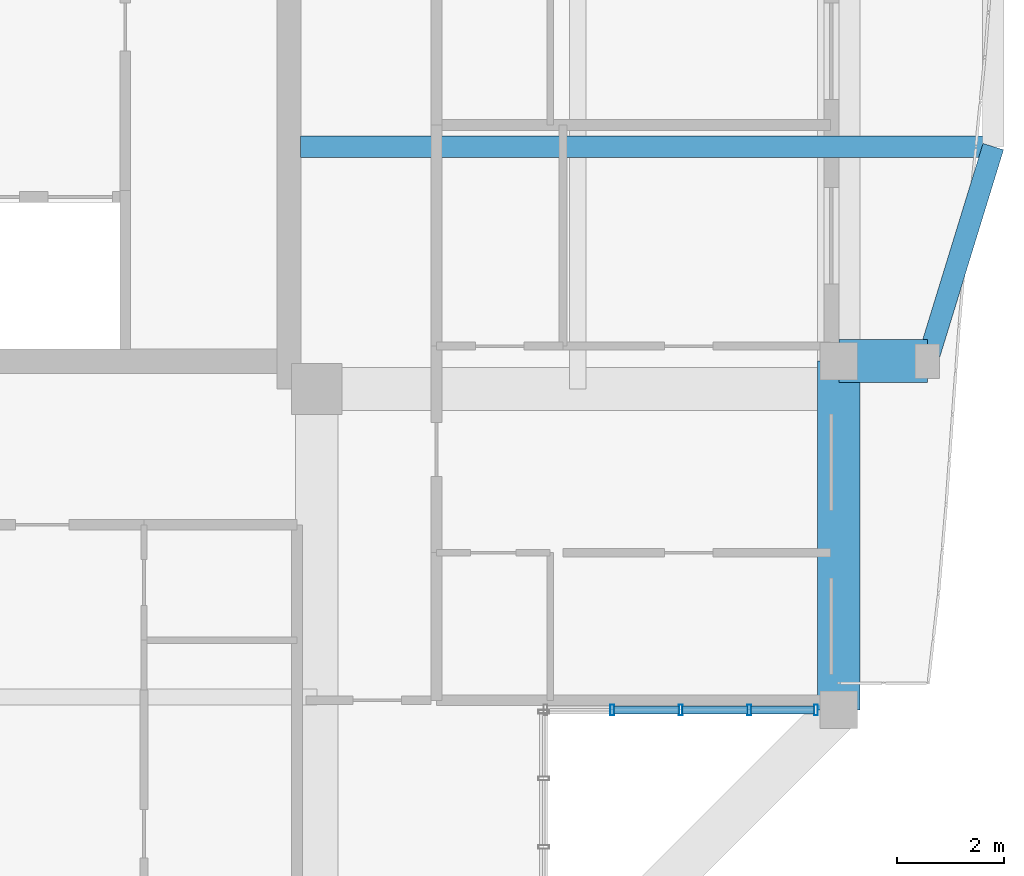
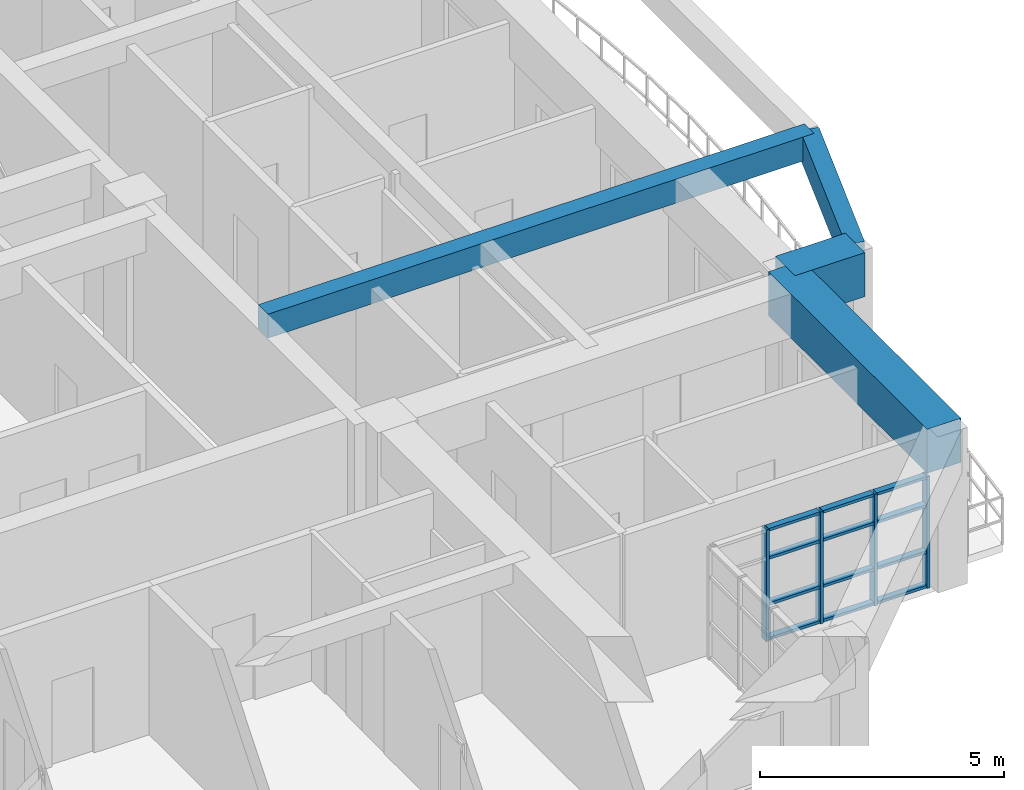
# One storey, part 6 of 27: 16 members, 4 beams, 1 element without a shape of its own.
"""IFC4 building model written with IfcOpenShell, lengths in metres."""

from ifc_helpers import new_model, si_unit, direction, frame, origin, origin_2d, place, context, subcontext, project, spatial, rectangle, hollow_rectangle, extrude, source, transform, mapped, material, layer, layer_set, material_profile, profile_set, type_object, element, aggregate, save


model = new_model("IFC4")

# Units and contexts
model_context = context("Model", 3, precision=1e-05, world=origin(), true_north=direction((0.0, 1.0)))
body_context = subcontext(model_context, "Body", "Model", "MODEL_VIEW")
ifc_project = project(units=[si_unit("LENGTHUNIT", "METRE"), si_unit("AREAUNIT", "SQUARE_METRE"), si_unit("VOLUMEUNIT", "CUBIC_METRE"), si_unit("PLANEANGLEUNIT", "RADIAN"), si_unit("MASSUNIT", "GRAM", prefix="KILO")], contexts=[model_context])

# Site, building, storey
site_placement = place(None, origin())
site = spatial("IfcSite", under=ifc_project, at=site_placement, CompositionType="ELEMENT")
building_placement = place(site_placement, origin())
building = spatial("IfcBuilding", under=site, at=building_placement, Name="Saelheon Loggia Tower", CompositionType="ELEMENT")
storey_placement = place(building_placement, frame((0.0, 0.0, 226.199951171875)))
storey = spatial("IfcBuildingStorey", under=building, at=storey_placement, Name="L70", CompositionType="ELEMENT", Elevation=226.199951171875)

# Beams
ifc_material_1 = material(Name="Concrete C50/60", Category="concrete")
ifc_material_profile_1 = material_profile(ifc_material_1, rectangle(XDim=0.800048828125, YDim=1.10009765625, at=origin_2d()), Name="RC-800x1100")
ifc_profile_set_1 = profile_set([ifc_material_profile_1], Name="Concrete C50/60")
beam_type_1 = type_object("IfcBeamType", Name="Beam_PerimSetback_RC800x1100", PredefinedType="BEAM", material=ifc_profile_set_1)
shared_shape_1 = source(origin(), body_context, "Body", "SweptSolid", [
    extrude(rectangle(XDim=0.800048828125, YDim=1.10009765625, at=origin_2d()), origin(), (0.0, 0.0, 1.0), 1.64990234375),
])
beam_1_placement = place(storey_placement, frame((54.75, 18.0, 3.35009765625), z_axis=(1.0, 0.0, 0.0), x_axis=(0.0, 1.0, 0.0)))
element("IfcBeam", 1, at=beam_1_placement, inside=storey, type_object=beam_type_1, Name="L70 Loggia Frame Tie Beam LP-E1", PredefinedType="BEAM", context=body_context, shape_type="MappedRepresentation", body=[
    mapped(shared_shape_1, transform((0.0, 0.0, 0.0), scale=1.0)),
])
ifc_material_2 = material(Name="Precast Concrete C45/55", Category="concrete")
ifc_material_profile_2 = material_profile(ifc_material_2, rectangle(XDim=0.39990234375, YDim=0.699951171875, at=origin_2d()), Name="RC-400x700")
ifc_profile_set_2 = profile_set([ifc_material_profile_2], Name="Precast Concrete C45/55")
beam_type_2 = type_object("IfcBeamType", Name="Beam_LoggiaSpandrel_RC400x700", PredefinedType="SPANDREL", material=ifc_profile_set_2)
shared_shape_2 = source(origin(), body_context, "Body", "SweptSolid", [
    extrude(rectangle(XDim=0.39990234375, YDim=0.699951171875, at=origin_2d()), origin(), (0.0, 0.0, 1.0), 4.184814453125),
])
beam_2_placement = place(storey_placement, frame((56.39990234375, 18.0, 3.550048828125), z_axis=(0.293913664135, 0.955831971653, 0.0), x_axis=(-0.955831971653, 0.293913664135, 0.0)))
element("IfcBeam", 2, at=beam_2_placement, inside=storey, type_object=beam_type_2, Name="L70 Curved Loggia Spandrel E 1", PredefinedType="SPANDREL", context=body_context, shape_type="MappedRepresentation", body=[
    mapped(shared_shape_2, transform((0.0, 0.0, 0.0), scale=1.0)),
])
shared_shape_3 = source(origin(), body_context, "Body", "SweptSolid", [
    extrude(rectangle(XDim=0.800048828125, YDim=1.10009765625, at=origin_2d()), origin(), (0.0, 0.0, 1.0), 6.5),
])
beam_3_placement = place(storey_placement, frame((54.75, 11.5, 3.35009765625), z_axis=(0.0, 1.0, 0.0), x_axis=(-1.0, 0.0, 0.0)))
element("IfcBeam", 3, at=beam_3_placement, inside=storey, type_object=beam_type_1, Name="L70 Perimeter Frame Girder 05", PredefinedType="BEAM", context=body_context, shape_type="MappedRepresentation", body=[
    mapped(shared_shape_3, transform((0.0, 0.0, 0.0), scale=1.0)),
])
ifc_material_profile_3 = material_profile(ifc_material_2, rectangle(XDim=0.39990234375, YDim=0.60009765625, at=origin_2d()), Name="RC-400x600")
ifc_profile_set_3 = profile_set([ifc_material_profile_3], Name="Precast Concrete C45/55")
beam_type_3 = type_object("IfcBeamType", Name="Beam_LoggiaTie_RC400x600", PredefinedType="BEAM", material=ifc_profile_set_3)
shared_shape_4 = source(origin(), body_context, "Body", "SweptSolid", [
    extrude(rectangle(XDim=0.39990234375, YDim=0.60009765625, at=origin_2d()), origin(), (0.0, 0.0, 1.0), 12.909912109375),
])
beam_4_placement = place(storey_placement, frame((44.719970703125, 22.0, 3.60009765625), z_axis=(1.0, 0.0, 0.0), x_axis=(0.0, 1.0, 0.0)))
element("IfcBeam", 4, at=beam_4_placement, inside=storey, type_object=beam_type_3, Name="L70 Curved Facade Outrigger Beam E 1", PredefinedType="BEAM", context=body_context, shape_type="MappedRepresentation", body=[
    mapped(shared_shape_4, transform((0.0, 0.0, 0.0), scale=1.0)),
])

# Curtain wall, members
ifc_material_3 = material(Name="High-Wind Aluminium and Triple Laminated Glass", Category="aluminium")
ifc_layer = layer(ifc_material_3, 0.179931640625)
ifc_layer_set = layer_set([ifc_layer], Name="High-Wind Aluminium and Triple Laminated Glass")
curtain_wall_type = type_object("IfcCurtainWallType", Name="CW_TowerLoggiaHigh", PredefinedType="NOTDEFINED", material=ifc_layer_set)
curtain_wall_placement = place(storey_placement, origin())
curtain_wall = element("IfcCurtainWall", 5, at=curtain_wall_placement, inside=storey, type_object=curtain_wall_type, Name="L70 Corner Notch Glazing SE2", PredefinedType="NOTDEFINED")
ifc_material_4 = material(Name="Anodised Aluminium 6063-T6", Category="aluminium")
ifc_material_profile_4 = material_profile(ifc_material_4, hollow_rectangle(XDim=0.070068359375, YDim=0.14990234375, WallThickness=0.0048828125, at=origin_2d()), Name="RHS-150x70x5")
ifc_profile_set_4 = profile_set([ifc_material_profile_4], Name="Anodised Aluminium 6063-T6")
member_type_1 = type_object("IfcMemberType", Name="CW_TowerLoggiaHigh_Transom", PredefinedType="USERDEFINED", material=ifc_profile_set_4)
shared_shape_5 = source(origin(), body_context, "Body", "SweptSolid", [
    extrude(hollow_rectangle(XDim=0.070068359375, YDim=0.14990234375, WallThickness=0.0048828125, at=origin_2d()), origin(), (0.0, 0.0, 1.0), 1.172607421875),
])
member_1_placement = place(storey_placement, frame((53.117431640625, 11.5, 0.03515625), z_axis=(1.0, 0.0, 0.0), x_axis=(0.0, 0.0, 1.0)))
member_1 = element("IfcMember", 6, at=member_1_placement, type_object=member_type_1, Name="CW4 transom 4.1", ObjectType="TRANSOM", PredefinedType="USERDEFINED", context=body_context, shape_type="MappedRepresentation", body=[
    mapped(shared_shape_5, transform((0.0, 0.0, 0.0), scale=1.0)),
])
member_2_placement = place(storey_placement, frame((53.117431640625, 11.5, 0.900146484375), z_axis=(1.0, 0.0, 0.0), x_axis=(0.0, 0.0, 1.0)))
member_2 = element("IfcMember", 7, at=member_2_placement, type_object=member_type_1, Name="CW4 transom 4.2", ObjectType="TRANSOM", PredefinedType="USERDEFINED", context=body_context, shape_type="MappedRepresentation", body=[
    mapped(shared_shape_5, transform((0.0, 0.0, 0.0), scale=1.0)),
])
member_3_placement = place(storey_placement, frame((53.117431640625, 11.5, 2.050048828125), z_axis=(1.0, 0.0, 0.0), x_axis=(0.0, 0.0, 1.0)))
member_3 = element("IfcMember", 8, at=member_3_placement, type_object=member_type_1, Name="CW4 transom 4.3", ObjectType="TRANSOM", PredefinedType="USERDEFINED", context=body_context, shape_type="MappedRepresentation", body=[
    mapped(shared_shape_5, transform((0.0, 0.0, 0.0), scale=1.0)),
])
member_4_placement = place(storey_placement, frame((53.117431640625, 11.5, 2.755126953125), z_axis=(1.0, 0.0, 0.0), x_axis=(0.0, 0.0, 1.0)))
member_4 = element("IfcMember", 9, at=member_4_placement, type_object=member_type_1, Name="CW4 transom 4.4", ObjectType="TRANSOM", PredefinedType="USERDEFINED", context=body_context, shape_type="MappedRepresentation", body=[
    mapped(shared_shape_5, transform((0.0, 0.0, 0.0), scale=1.0)),
])
shared_shape_6 = source(origin(), body_context, "Body", "SweptSolid", [
    extrude(hollow_rectangle(XDim=0.070068359375, YDim=0.14990234375, WallThickness=0.0048828125, at=origin_2d()), origin(), (0.0, 0.0, 1.0), 1.20751953125),
])
member_5_placement = place(storey_placement, frame((50.5625, 11.5, 0.03515625), z_axis=(1.0, 0.0, 0.0), x_axis=(0.0, 0.0, 1.0)))
member_5 = element("IfcMember", 10, at=member_5_placement, type_object=member_type_1, Name="CW4 transom 2.1", ObjectType="TRANSOM", PredefinedType="USERDEFINED", context=body_context, shape_type="MappedRepresentation", body=[
    mapped(shared_shape_6, transform((0.0, 0.0, 0.0), scale=1.0)),
])
member_6_placement = place(storey_placement, frame((50.5625, 11.5, 0.900146484375), z_axis=(1.0, 0.0, 0.0), x_axis=(0.0, 0.0, 1.0)))
member_6 = element("IfcMember", 11, at=member_6_placement, type_object=member_type_1, Name="CW4 transom 2.2", ObjectType="TRANSOM", PredefinedType="USERDEFINED", context=body_context, shape_type="MappedRepresentation", body=[
    mapped(shared_shape_6, transform((0.0, 0.0, 0.0), scale=1.0)),
])
member_7_placement = place(storey_placement, frame((50.5625, 11.5, 2.050048828125), z_axis=(1.0, 0.0, 0.0), x_axis=(0.0, 0.0, 1.0)))
member_7 = element("IfcMember", 12, at=member_7_placement, type_object=member_type_1, Name="CW4 transom 2.3", ObjectType="TRANSOM", PredefinedType="USERDEFINED", context=body_context, shape_type="MappedRepresentation", body=[
    mapped(shared_shape_6, transform((0.0, 0.0, 0.0), scale=1.0)),
])
member_8_placement = place(storey_placement, frame((50.5625, 11.5, 2.755126953125), z_axis=(1.0, 0.0, 0.0), x_axis=(0.0, 0.0, 1.0)))
member_8 = element("IfcMember", 13, at=member_8_placement, type_object=member_type_1, Name="CW4 transom 2.4", ObjectType="TRANSOM", PredefinedType="USERDEFINED", context=body_context, shape_type="MappedRepresentation", body=[
    mapped(shared_shape_6, transform((0.0, 0.0, 0.0), scale=1.0)),
])
member_9_placement = place(storey_placement, frame((51.840087890625, 11.5, 0.03515625), z_axis=(1.0, 0.0, 0.0), x_axis=(0.0, 0.0, 1.0)))
member_9 = element("IfcMember", 14, at=member_9_placement, type_object=member_type_1, Name="CW4 transom 3.1", ObjectType="TRANSOM", PredefinedType="USERDEFINED", context=body_context, shape_type="MappedRepresentation", body=[
    mapped(shared_shape_6, transform((0.0, 0.0, 0.0), scale=1.0)),
])
member_10_placement = place(storey_placement, frame((51.840087890625, 11.5, 0.900146484375), z_axis=(1.0, 0.0, 0.0), x_axis=(0.0, 0.0, 1.0)))
member_10 = element("IfcMember", 15, at=member_10_placement, type_object=member_type_1, Name="CW4 transom 3.2", ObjectType="TRANSOM", PredefinedType="USERDEFINED", context=body_context, shape_type="MappedRepresentation", body=[
    mapped(shared_shape_6, transform((0.0, 0.0, 0.0), scale=1.0)),
])
member_11_placement = place(storey_placement, frame((51.840087890625, 11.5, 2.050048828125), z_axis=(1.0, 0.0, 0.0), x_axis=(0.0, 0.0, 1.0)))
member_11 = element("IfcMember", 16, at=member_11_placement, type_object=member_type_1, Name="CW4 transom 3.3", ObjectType="TRANSOM", PredefinedType="USERDEFINED", context=body_context, shape_type="MappedRepresentation", body=[
    mapped(shared_shape_6, transform((0.0, 0.0, 0.0), scale=1.0)),
])
member_12_placement = place(storey_placement, frame((51.840087890625, 11.5, 2.755126953125), z_axis=(1.0, 0.0, 0.0), x_axis=(0.0, 0.0, 1.0)))
member_12 = element("IfcMember", 17, at=member_12_placement, type_object=member_type_1, Name="CW4 transom 3.4", ObjectType="TRANSOM", PredefinedType="USERDEFINED", context=body_context, shape_type="MappedRepresentation", body=[
    mapped(shared_shape_6, transform((0.0, 0.0, 0.0), scale=1.0)),
])
ifc_material_profile_5 = material_profile(ifc_material_4, hollow_rectangle(XDim=0.070068359375, YDim=0.199951171875, WallThickness=0.0048828125, at=origin_2d()), Name="RHS-200x70x5")
ifc_profile_set_5 = profile_set([ifc_material_profile_5], Name="Anodised Aluminium 6063-T6")
member_type_2 = type_object("IfcMemberType", Name="CW_TowerLoggiaHigh_Mullion", PredefinedType="MULLION", material=ifc_profile_set_5)
shared_shape_7 = source(origin(), body_context, "Body", "SweptSolid", [
    extrude(hollow_rectangle(XDim=0.070068359375, YDim=0.199951171875, WallThickness=0.0048828125, at=origin_2d()), origin(), (0.0, 0.0, 1.0), 2.7900390625),
])
member_13_placement = place(storey_placement, frame((50.527587890625, 11.5, 0.0), z_axis=(0.0, 0.0, 1.0), x_axis=(1.0, 0.0, 0.0)))
member_13 = element("IfcMember", 18, at=member_13_placement, type_object=member_type_2, Name="CW4 mullion 2", PredefinedType="MULLION", context=body_context, shape_type="MappedRepresentation", body=[
    mapped(shared_shape_7, transform((0.0, 0.0, 0.0), scale=1.0)),
])
member_14_placement = place(storey_placement, frame((51.804931640625, 11.5, 0.0), z_axis=(0.0, 0.0, 1.0), x_axis=(1.0, 0.0, 0.0)))
member_14 = element("IfcMember", 19, at=member_14_placement, type_object=member_type_2, Name="CW4 mullion 3", PredefinedType="MULLION", context=body_context, shape_type="MappedRepresentation", body=[
    mapped(shared_shape_7, transform((0.0, 0.0, 0.0), scale=1.0)),
])
member_15_placement = place(storey_placement, frame((53.08251953125, 11.5, 0.0), z_axis=(0.0, 0.0, 1.0), x_axis=(1.0, 0.0, 0.0)))
member_15 = element("IfcMember", 20, at=member_15_placement, type_object=member_type_2, Name="CW4 mullion 4", PredefinedType="MULLION", context=body_context, shape_type="MappedRepresentation", body=[
    mapped(shared_shape_7, transform((0.0, 0.0, 0.0), scale=1.0)),
])
member_16_placement = place(storey_placement, frame((54.324951171875, 11.5, 0.0), z_axis=(0.0, 0.0, 1.0), x_axis=(1.0, 0.0, 0.0)))
member_16 = element("IfcMember", 21, at=member_16_placement, type_object=member_type_2, Name="CW4 mullion 5", PredefinedType="MULLION", context=body_context, shape_type="MappedRepresentation", body=[
    mapped(shared_shape_7, transform((0.0, 0.0, 0.0), scale=1.0)),
])
aggregate(curtain_wall, [member_13, member_14, member_15, member_16, member_5, member_6, member_7, member_8, member_9, member_10, member_11, member_12, member_1, member_2, member_3, member_4])

save(model, "model.ifc")
